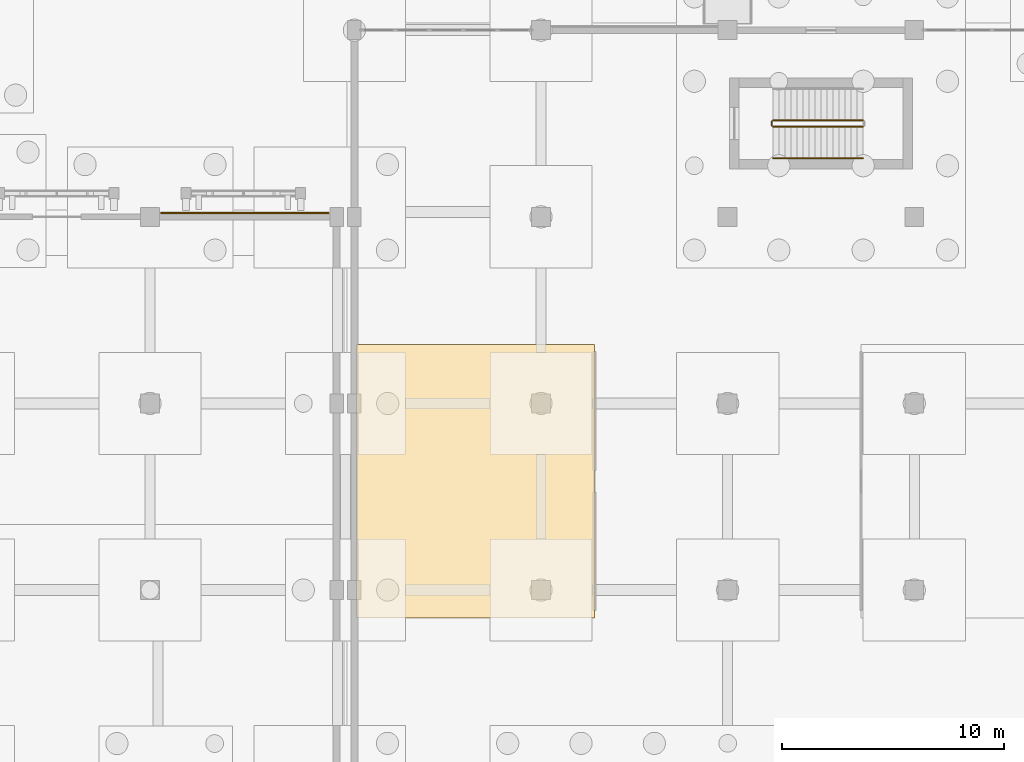
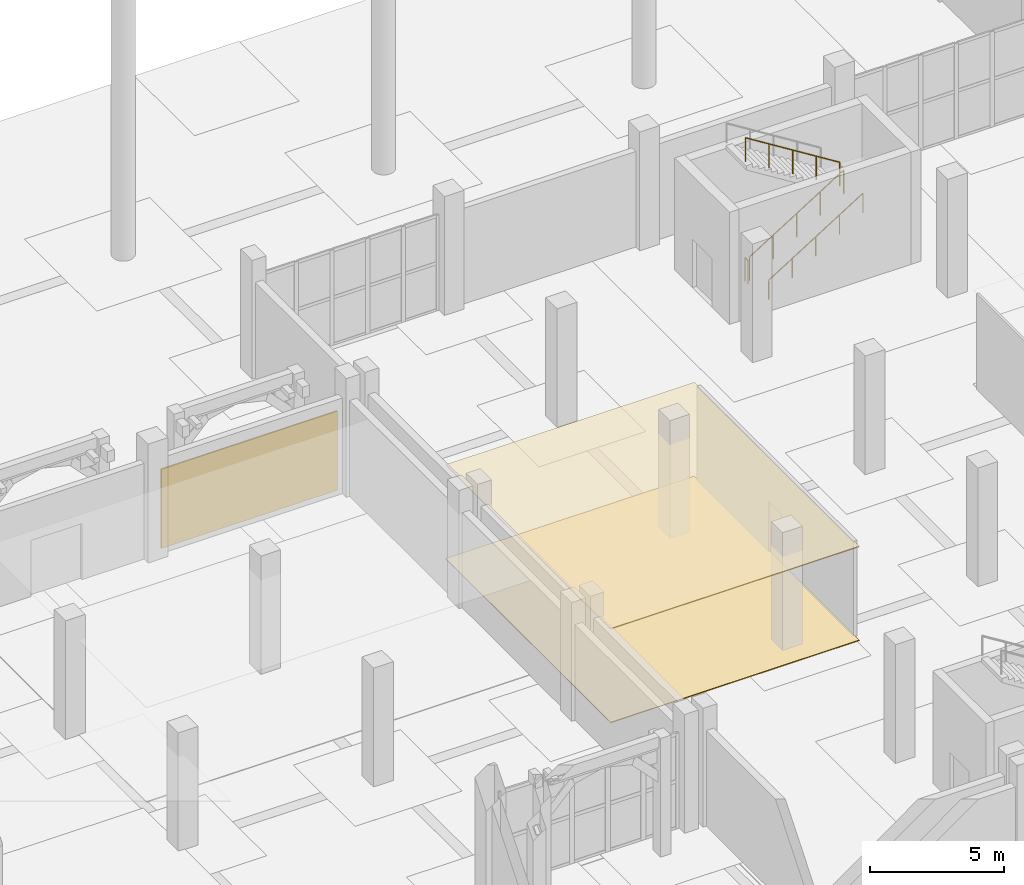
# One storey, part 91 of 98: 4 railings, 3 coverings.
"""IFC4 building model written with IfcOpenShell, lengths in metres."""

from ifc_helpers import new_model, si_unit, direction, frame, origin, origin_2d, place, context, subcontext, project, spatial, polyline, rectangle, circle, outline, extrude, material, layer, layer_set, type_object, element, save


model = new_model("IFC4")

# Units and contexts
model_context = context("Model", 3, precision=1e-05, world=origin(), true_north=direction((0.0, 1.0)))
body_context = subcontext(model_context, "Body", "Model", "MODEL_VIEW")
ifc_project = project(units=[si_unit("LENGTHUNIT", "METRE"), si_unit("AREAUNIT", "SQUARE_METRE"), si_unit("VOLUMEUNIT", "CUBIC_METRE"), si_unit("PLANEANGLEUNIT", "RADIAN"), si_unit("MASSUNIT", "GRAM", prefix="KILO")], contexts=[model_context])

# Site, building, storey
site_placement = place(None, origin())
site = spatial("IfcSite", under=ifc_project, at=site_placement, CompositionType="ELEMENT")
building_placement = place(site_placement, origin())
building = spatial("IfcBuilding", under=site, at=building_placement, Name="Xazarin Passage Department Store", CompositionType="ELEMENT")
storey_placement = place(building_placement, origin())
storey = spatial("IfcBuildingStorey", under=building, at=storey_placement, Name="L00", CompositionType="ELEMENT", Elevation=0.0)

# Coverings
ifc_material_1 = material(Name="Absheron limestone cladding", Category="masonry")
ifc_layer_1 = layer(ifc_material_1, 0.06005859375)
ifc_layer_set_1 = layer_set([ifc_layer_1], Name="Absheron limestone cladding")
covering_type_1 = type_object("IfcCoveringType", Name="ARC-COV-CLD060", PredefinedType="CLADDING", material=ifc_layer_set_1)
covering_1_placement = place(storey_placement, frame((63.0625, 84.969970703125, 0.0), z_axis=(0.0, 0.0, 1.0), x_axis=(1.0, 0.0, 0.0)))
element("IfcCovering", 1, at=covering_1_placement, inside=storey, type_object=covering_type_1, Name="L00 Absheron Limestone Plinth Cladding 009", PredefinedType="CLADDING", context=body_context, shape_type="SweptSolid", body=[
    extrude(rectangle(XDim=7.574951171875, YDim=0.06005859375, at=origin_2d()), origin(), (0.0, 0.0, 1.0), 3.60009765625),
])
ifc_material_2 = material(Name="Acoustic mineral ceiling")
ifc_layer_2 = layer(ifc_material_2, 0.0400390625)
ifc_layer_set_2 = layer_set([ifc_layer_2], Name="Acoustic mineral ceiling")
covering_type_2 = type_object("IfcCoveringType", Name="ARC-COV-CLG040", PredefinedType="CEILING", material=ifc_layer_set_2)
covering_2_placement = place(storey_placement, frame((0.0, 0.0, 4.260009765625)))
element("IfcCovering", 2, at=covering_2_placement, inside=storey, type_object=covering_type_2, Name="L00 Silk and Cashmere Shop Acoustic Ceiling", PredefinedType="CEILING", context=body_context, shape_type="SweptSolid", body=[
    extrude(outline(polyline([(78.800048828125, 66.75), (78.800048828125, 79.050048828125), (68.10009765625, 79.050048828125), (68.10009765625, 66.75), (78.800048828125, 66.75)])), origin(), (0.0, 0.0, 1.0), 0.0400390625),
])
ifc_material_3 = material(Name="Terrazzo stone flooring", Category="masonry")
ifc_layer_3 = layer(ifc_material_3, 0.034912109375)
ifc_layer_set_3 = layer_set([ifc_layer_3], Name="Terrazzo stone flooring")
covering_type_3 = type_object("IfcCoveringType", Name="ARC-COV-FLR035", PredefinedType="FLOORING", material=ifc_layer_set_3)
covering_3_placement = place(storey_placement, origin())
element("IfcCovering", 3, at=covering_3_placement, inside=storey, type_object=covering_type_3, Name="L00 Silk and Cashmere Shop Terrazzo Flooring", PredefinedType="FLOORING", context=body_context, shape_type="SweptSolid", body=[
    extrude(outline(polyline([(78.800048828125, 66.75), (78.800048828125, 79.050048828125), (68.10009765625, 79.050048828125), (68.10009765625, 66.75), (78.800048828125, 66.75)])), origin(), (0.0, 0.0, 1.0), 0.034912109375),
])

# Railings
ifc_material_4 = material(Name="Steel S355", Category="steel")
railing_type_1 = type_object("IfcRailingType", Name="ARC-RL-GRD112", PredefinedType="GUARDRAIL", material=ifc_material_4)
railing_1_placement = place(storey_placement, frame((86.840087890625, 88.85009765625, 0.168701171875)))
element("IfcRailing", 4, at=railing_1_placement, inside=storey, type_object=railing_type_1, Name="L00 ST7 stair guard 1", PredefinedType="GUARDRAIL", context=body_context, shape_type="SweptSolid", body=[
    extrude(circle(Radius=0.02392578125, at=origin_2d()), frame((0.0, 0.0, 1.076171875), z_axis=(0.847986816054, 0.0, 0.530017320282), x_axis=(0.0, 1.0, 0.0)), (0.0, 0.0, 1.0), 4.77587890625),
    extrude(circle(Radius=0.02099609375, at=origin_2d()), origin(), (0.0, 0.0, 1.0), 1.0517578125),
    extrude(circle(Radius=0.02099609375, at=origin_2d()), frame((1.012451171875, 0.0, 0.6328125)), (0.0, 0.0, 1.0), 1.0517578125),
    extrude(circle(Radius=0.02099609375, at=origin_2d()), frame((2.02490234375, 0.0, 1.265625)), (0.0, 0.0, 1.0), 1.0517578125),
    extrude(circle(Radius=0.02099609375, at=origin_2d()), frame((3.037353515625, 0.0, 1.8984375)), (0.0, 0.0, 1.0), 1.0517578125),
    extrude(circle(Radius=0.02099609375, at=origin_2d()), frame((4.0498046875, 0.0, 2.53125)), (0.0, 0.0, 1.0), 1.0517578125),
])
railing_2_placement = place(storey_placement, frame((90.889892578125, 89.14990234375, 2.86865234375)))
element("IfcRailing", 5, at=railing_2_placement, inside=storey, type_object=railing_type_1, Name="L00 ST7 stair guard 3", PredefinedType="GUARDRAIL", context=body_context, shape_type="SweptSolid", body=[
    extrude(circle(Radius=0.02392578125, at=origin_2d()), frame((0.0, 0.0, 1.076171875), z_axis=(-0.847986816054, 0.0, 0.530017320282), x_axis=(0.0, -1.0, 0.0)), (0.0, 0.0, 1.0), 4.77587890625),
    extrude(circle(Radius=0.02099609375, at=origin_2d()), origin(), (0.0, 0.0, 1.0), 1.0517578125),
    extrude(circle(Radius=0.02099609375, at=origin_2d()), frame((-1.012451171875, 0.0, 0.6328125)), (0.0, 0.0, 1.0), 1.0517578125),
    extrude(circle(Radius=0.02099609375, at=origin_2d()), frame((-2.02490234375, 0.0, 1.265625)), (0.0, 0.0, 1.0), 1.0517578125),
    extrude(circle(Radius=0.02099609375, at=origin_2d()), frame((-3.037353515625, 0.0, 1.8984375)), (0.0, 0.0, 1.0), 1.0517578125),
    extrude(circle(Radius=0.02099609375, at=origin_2d()), frame((-4.0498046875, 0.0, 2.53125)), (0.0, 0.0, 1.0), 1.0517578125),
])
railing_3_placement = place(storey_placement, frame((86.7900390625, 88.89990234375, 0.0)))
element("IfcRailing", 6, at=railing_3_placement, inside=storey, type_object=railing_type_1, Name="L00 ST7 stair guard 4", PredefinedType="GUARDRAIL", context=body_context, shape_type="SweptSolid", body=[
    extrude(circle(Radius=0.02392578125, at=origin_2d()), frame((0.0, 0.0, 1.076171875), z_axis=(0.0, 1.0, 0.0), x_axis=(-1.0, 0.0, 0.0)), (0.0, 0.0, 1.0), 0.2001953125),
    extrude(circle(Radius=0.02099609375, at=origin_2d()), origin(), (0.0, 0.0, 1.0), 1.0517578125),
    extrude(circle(Radius=0.02099609375, at=origin_2d()), frame((0.0, 0.2001953125, 0.0)), (0.0, 0.0, 1.0), 1.0517578125),
])
railing_type_2 = type_object("IfcRailingType", Name="ARC-RL-HND090", PredefinedType="HANDRAIL", material=ifc_material_4)
railing_4_placement = place(storey_placement, frame((86.840087890625, 87.429931640625, 0.168701171875)))
element("IfcRailing", 7, at=railing_4_placement, inside=storey, type_object=railing_type_2, Name="L00 ST7 stair handrail 1", PredefinedType="HANDRAIL", context=body_context, shape_type="SweptSolid", body=[
    extrude(circle(Radius=0.02392578125, at=origin_2d()), frame((0.0, 0.0, 0.8759765625), z_axis=(0.847986816054, 0.0, 0.530017320282), x_axis=(0.0, 1.0, 0.0)), (0.0, 0.0, 1.0), 4.77587890625),
    extrude(circle(Radius=0.02099609375, at=origin_2d()), origin(), (0.0, 0.0, 1.0), 0.8515625),
    extrude(circle(Radius=0.02099609375, at=origin_2d()), frame((1.012451171875, 0.0, 0.6328125)), (0.0, 0.0, 1.0), 0.8515625),
    extrude(circle(Radius=0.02099609375, at=origin_2d()), frame((2.02490234375, 0.0, 1.265625)), (0.0, 0.0, 1.0), 0.8515625),
    extrude(circle(Radius=0.02099609375, at=origin_2d()), frame((3.037353515625, 0.0, 1.8984375)), (0.0, 0.0, 1.0), 0.8515625),
    extrude(circle(Radius=0.02099609375, at=origin_2d()), frame((4.0498046875, 0.0, 2.53125)), (0.0, 0.0, 1.0), 0.8515625),
])

save(model, "model.ifc")
